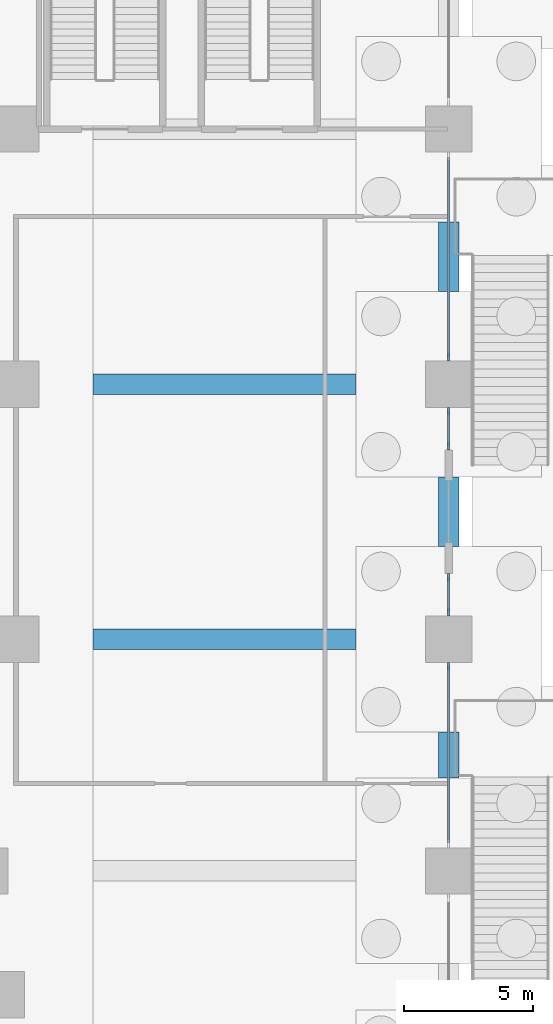
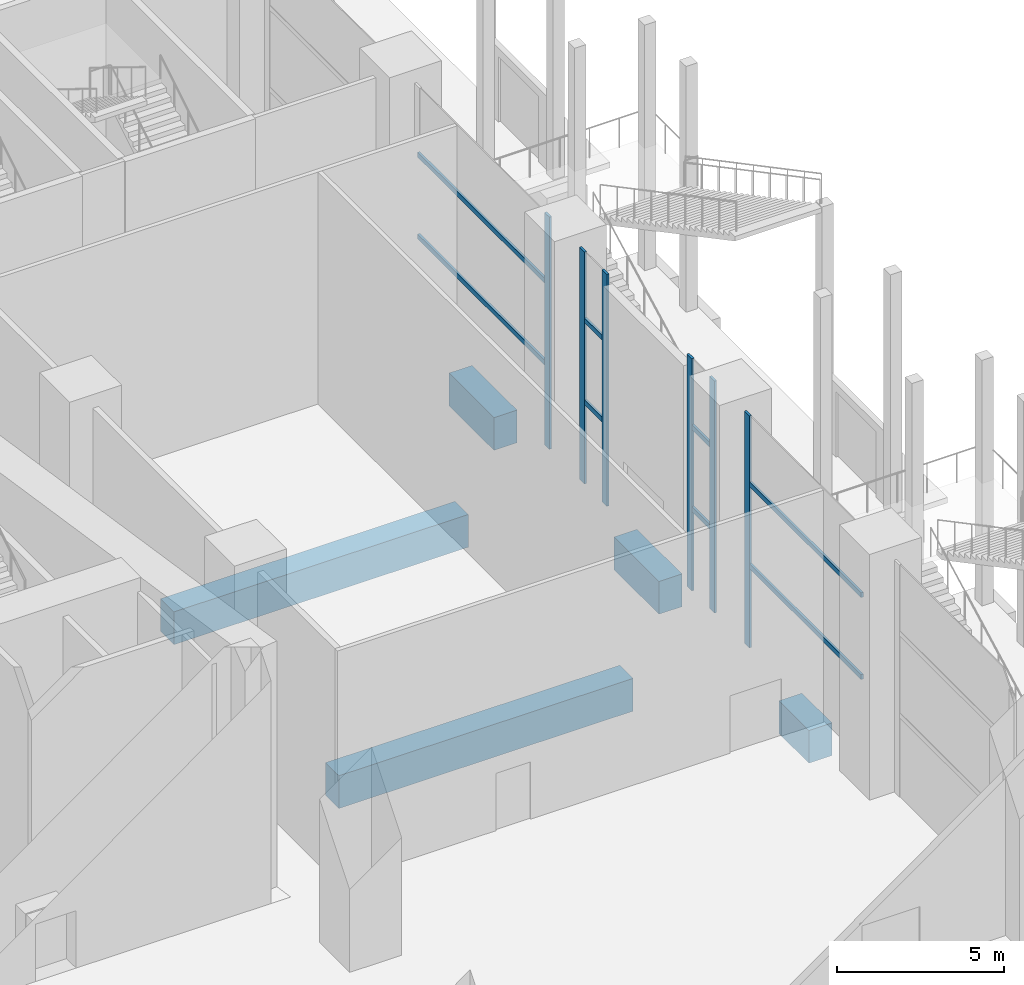
# One storey, part 24 of 72: 14 members, 5 beams, 4 elements without a shape of their own.
"""IFC4 building model written with IfcOpenShell, lengths in metres."""

import ifcopenshell
import ifcopenshell.guid

model = None  # the IFC model being written
_history = None  # IfcOwnerHistory: only IFC2X3 demands one
_inside = {}  # id of a spatial element -> (the spatial element, [elements in it])
_under = {}  # id of a project, library or spatial element -> (it, [spatial elements below it])
_declared = {}  # id of a project -> (the project, [libraries it declares])
_typed = {}  # id of a type object -> (the type object, [elements of that type])
_made_of = {}  # id of a material, layer set ... -> (it, [elements and type objects made of it])


def new_model(schema):
    """Start an empty IFC model of exactly this schema.

    Asked for "IFC4X3", IfcOpenShell would pick the latest addendum, in which some entities
    have other attributes; the version numbers below select the first issue.
    IFC2X3 requires an IfcOwnerHistory on every rooted entity: one is made here for all.
    """
    global model, _history
    if schema == "IFC4X3":
        model = ifcopenshell.file(schema_version=(4, 3, 0, 0))
    else:
        model = ifcopenshell.file(schema=schema)
    _inside.clear()
    _under.clear()
    _declared.clear()
    _typed.clear()
    _made_of.clear()
    _history = None
    if model.schema == "IFC2X3":
        org = make("IfcOrganization", Name="unknown")
        user = make(
            "IfcPersonAndOrganization",
            ThePerson=make("IfcPerson", FamilyName="unknown"),
            TheOrganization=org,
        )
        app = make(
            "IfcApplication",
            ApplicationDeveloper=org,
            Version="unknown",
            ApplicationFullName="unknown",
            ApplicationIdentifier="unknown",
        )
        _history = make(
            "IfcOwnerHistory",
            OwningUser=user,
            OwningApplication=app,
            ChangeAction="ADDED",
            CreationDate=0,
        )
    return model


def make(cls, **values):
    """One entity of the class cls with the attributes given. An attribute that is None is left unset."""
    return model.create_entity(
        cls, **{name: value for name, value in values.items() if value is not None}
    )


def rooted(cls, **values):
    """An entity with a GlobalId (a new one), such as an element, a storey or a relation."""
    return make(cls, GlobalId=ifcopenshell.guid.new(), OwnerHistory=_history, **values)


def si_unit(unit_type, name, prefix=None):
    """IfcSIUnit, for example si_unit("LENGTHUNIT", "METRE", prefix="MILLI")."""
    return make("IfcSIUnit", UnitType=unit_type, Prefix=prefix, Name=name)


def assignment(units):
    """IfcUnitAssignment: the units of a project."""
    return None if units is None else make("IfcUnitAssignment", Units=units)


def point(xyz):
    """IfcCartesianPoint."""
    return None if xyz is None else make("IfcCartesianPoint", Coordinates=xyz)


def direction(xyz):
    """IfcDirection."""
    return None if xyz is None else make("IfcDirection", DirectionRatios=xyz)


def frame(location, z_axis=None, x_axis=None):
    """IfcAxis2Placement3D, a coordinate frame: its origin and axes. An axis left out is left unset."""
    return make(
        "IfcAxis2Placement3D",
        Location=point(location),
        Axis=direction(z_axis),
        RefDirection=direction(x_axis),
    )


def frame_2d(location, x_axis=None):
    """IfcAxis2Placement2D, a coordinate frame in the plane: its origin and x axis."""
    return make(
        "IfcAxis2Placement2D", Location=point(location), RefDirection=direction(x_axis)
    )


def origin():
    """The frame at (0, 0, 0) with its axes left unset."""
    return frame((0.0, 0.0, 0.0))


def origin_2d():
    """The frame at (0, 0) in the plane with its x axis left unset."""
    return frame_2d((0.0, 0.0))


def place(relative_to, where):
    """IfcLocalPlacement: puts the frame where relative to a parent placement (None: the world)."""
    return make(
        "IfcLocalPlacement", PlacementRelTo=relative_to, RelativePlacement=where
    )


def context(
    kind, dimensions, precision=None, world=None, true_north=None, identifier=None
):
    """IfcGeometricRepresentationContext, for example the 3D "Model" context."""
    return make(
        "IfcGeometricRepresentationContext",
        ContextIdentifier=identifier,
        ContextType=kind,
        CoordinateSpaceDimension=dimensions,
        Precision=precision,
        WorldCoordinateSystem=world,
        TrueNorth=true_north,
    )


def subcontext(parent, identifier, kind, view, scale=None):
    """IfcGeometricRepresentationSubContext, for example "Body" below "Model"."""
    return make(
        "IfcGeometricRepresentationSubContext",
        ContextIdentifier=identifier,
        ContextType=kind,
        ParentContext=parent,
        TargetScale=scale,
        TargetView=view,
    )


def project(units=None, contexts=None):
    """IfcProject with its units and contexts."""
    return rooted(
        "IfcProject",
        Name="project",
        RepresentationContexts=contexts,
        UnitsInContext=assignment(units),
    )


def spatial(cls, under=None, at=None, **own):
    """A site, building, storey or space (cls), placed at a placement, below another one or the project."""
    s = rooted(cls, ObjectPlacement=at, **own)
    if under is not None:
        _under.setdefault(under.id(), (under, []))[1].append(s)
    return s


def profile(cls, at=None, kind="AREA", **sizes):
    """A parametric profile (cls). Its sizes go by their IFC names, for example OverallWidth=200.0."""
    return make(cls, ProfileType=kind, Position=at, **sizes)


def rectangle(**sizes):
    """IfcRectangleProfileDef."""
    return profile("IfcRectangleProfileDef", **sizes)


def extrude(swept, where, along, depth):
    """IfcExtrudedAreaSolid: the profile swept, set in the frame where, extruded along a direction by depth."""
    return make(
        "IfcExtrudedAreaSolid",
        SweptArea=swept,
        Position=where,
        ExtrudedDirection=direction(along),
        Depth=depth,
    )


def shape(context_of_items, identifier, shape_type, items):
    """IfcShapeRepresentation: the items that make up one representation, for example the "Body"."""
    return make(
        "IfcShapeRepresentation",
        ContextOfItems=context_of_items,
        RepresentationIdentifier=identifier,
        RepresentationType=shape_type,
        Items=items,
    )


def material(Name=None, Category=None):
    """IfcMaterial."""
    return make("IfcMaterial", Name=Name, Category=Category)


def material_profile(
    of_material, cross_section, Name=None, Category=None, Priority=None
):
    """IfcMaterialProfile: a cross section and its material."""
    return make(
        "IfcMaterialProfile",
        Name=Name,
        Material=of_material,
        Profile=cross_section,
        Priority=Priority,
        Category=Category,
    )


def profile_set(profiles, Name=None, composite=None):
    """IfcMaterialProfileSet."""
    return make(
        "IfcMaterialProfileSet",
        Name=Name,
        MaterialProfiles=profiles,
        CompositeProfile=composite,
    )


def made_of(thing, what):
    """Note that an element or type object is made of a material, layer set ...; save() writes the relation."""
    if what is not None:
        _made_of.setdefault(what.id(), (what, []))[1].append(thing)
    return thing


def type_object(cls, material=None, **own):
    """A type object (cls), such as IfcWallType, which elements share."""
    return made_of(rooted(cls, **own), material)


def element(
    cls,
    number,
    at=None,
    inside=None,
    cuts=None,
    type_object=None,
    material=None,
    context=None,
    identifier="Body",
    shape_type=None,
    held_by="IfcProductDefinitionShape",
    body=None,
    shapes=None,
    **own,
):
    """One element of the class cls, such as IfcWall. Its Tag is "e" and its number.

    at: its placement. inside: the storey or other place that contains it. cuts: it is an
    opening in that element (IfcRelVoidsElement). A single representation is given by context,
    identifier, shape_type and body (its items); several are given by shapes. held_by: the class
    of the entity that holds the representations. save() writes the other relations.
    """
    e = rooted(cls, Tag="e%d" % number, ObjectPlacement=at, **own)
    if body is not None:
        shapes = [shape(context, identifier, shape_type, body)]
    if shapes is not None:
        e.Representation = make(held_by, Representations=shapes)
    if inside is not None:
        _inside.setdefault(inside.id(), (inside, []))[1].append(e)
    if cuts is not None:
        rooted(
            "IfcRelVoidsElement", RelatingBuildingElement=cuts, RelatedOpeningElement=e
        )
    if type_object is not None:
        _typed.setdefault(type_object.id(), (type_object, []))[1].append(e)
    return made_of(e, material)


def aggregate(whole, parts):
    """IfcRelAggregates: a whole, such as a stair, and the parts it consists of."""
    return rooted("IfcRelAggregates", RelatingObject=whole, RelatedObjects=parts)


def save(model, path):
    """Write the relations noted so far, then the file.

    IfcRelAggregates (storeys below a building ...), IfcRelContainedInSpatialStructure (elements
    in a storey), IfcRelDefinesByType, IfcRelAssociatesMaterial and IfcRelDeclares: one each for
    every whole, place, type object, material and project.
    """
    for whole, parts in _under.values():
        aggregate(whole, parts)
    for where, things in _inside.values():
        rooted(
            "IfcRelContainedInSpatialStructure",
            RelatedElements=things,
            RelatingStructure=where,
        )
    for kind, things in _typed.values():
        rooted("IfcRelDefinesByType", RelatedObjects=things, RelatingType=kind)
    for what, things in _made_of.values():
        rooted("IfcRelAssociatesMaterial", RelatedObjects=things, RelatingMaterial=what)
    for by, libraries in _declared.values():
        rooted("IfcRelDeclares", RelatingContext=by, RelatedDefinitions=libraries)
    model.write(path)


model = new_model("IFC4")

# Units and contexts
model_context = context("Model", 3, precision=1e-05, world=origin(), true_north=direction((0.0, 1.0)))
body_context = subcontext(model_context, "Body", "Model", "MODEL_VIEW")
ifc_project = project(units=[si_unit("LENGTHUNIT", "METRE"), si_unit("AREAUNIT", "SQUARE_METRE"), si_unit("VOLUMEUNIT", "CUBIC_METRE"), si_unit("PLANEANGLEUNIT", "RADIAN"), si_unit("MASSUNIT", "GRAM", prefix="KILO")], contexts=[model_context])

# Site, building, storey
site_placement = place(None, origin())
site = spatial("IfcSite", under=ifc_project, at=site_placement, CompositionType="ELEMENT")
building_placement = place(site_placement, origin())
building = spatial("IfcBuilding", under=site, at=building_placement, Name="Candeia Pilgrim Tower and Theatre", CompositionType="ELEMENT")
storey_placement = place(building_placement, origin())
storey = spatial("IfcBuildingStorey", under=building, at=storey_placement, Name="L00", CompositionType="ELEMENT", Elevation=0.0)

# Curtain wall, member
ifc_material_1 = material(Name="Aluminium framed podium glazing", Category="aluminium")
curtain_wall_type = type_object("IfcCurtainWallType", Name="CW-P curtain wall", PredefinedType="NOTDEFINED", material=ifc_material_1)
curtain_wall_1_placement = place(storey_placement, origin())
curtain_wall_1 = element("IfcCurtainWall", 1, at=curtain_wall_1_placement, inside=storey, type_object=curtain_wall_type, Name="Curtain wall CW-P L00.210", PredefinedType="NOTDEFINED")
ifc_material_2 = material(Name="Anodised aluminium", Category="aluminium")
ifc_material_profile_1 = material_profile(ifc_material_2, rectangle(XDim=0.080078125, YDim=0.300048828125, at=origin_2d()))
ifc_profile_set_1 = profile_set([ifc_material_profile_1], Name="Anodised aluminium")
member_type_1 = type_object("IfcMemberType", Name="CW-P mullion 80x300", PredefinedType="MULLION", material=ifc_profile_set_1)
member_1_placement = place(storey_placement, frame((159.60009765625, 126.949951171875, 0.0), z_axis=(0.0, 0.0, 1.0), x_axis=(1.0, 0.0, 0.0)))
member_1 = element("IfcMember", 2, at=member_1_placement, type_object=member_type_1, Name="CW-P mullion 2", PredefinedType="MULLION", context=body_context, shape_type="SweptSolid", body=[
    extrude(rectangle(XDim=0.080078125, YDim=0.300048828125, at=origin_2d()), origin(), (0.0, 0.0, 1.0), 8.5),
])

# Curtain wall, members
curtain_wall_2_placement = place(storey_placement, origin())
curtain_wall_2 = element("IfcCurtainWall", 3, at=curtain_wall_2_placement, inside=storey, type_object=curtain_wall_type, Name="Curtain wall CW-P L00.220", PredefinedType="NOTDEFINED")
member_2_placement = place(storey_placement, frame((159.60009765625, 124.85009765625, 0.0), z_axis=(0.0, 0.0, 1.0), x_axis=(1.0, 0.0, 0.0)))
member_2 = element("IfcMember", 4, at=member_2_placement, type_object=member_type_1, Name="CW-P mullion 1", PredefinedType="MULLION", context=body_context, shape_type="SweptSolid", body=[
    extrude(rectangle(XDim=0.080078125, YDim=0.300048828125, at=origin_2d()), origin(), (0.0, 0.0, 1.0), 8.5),
])
member_3_placement = place(storey_placement, frame((159.60009765625, 123.5, 0.0), z_axis=(0.0, 0.0, 1.0), x_axis=(1.0, 0.0, 0.0)))
member_3 = element("IfcMember", 5, at=member_3_placement, type_object=member_type_1, Name="CW-P mullion 2", PredefinedType="MULLION", context=body_context, shape_type="SweptSolid", body=[
    extrude(rectangle(XDim=0.080078125, YDim=0.300048828125, at=origin_2d()), origin(), (0.0, 0.0, 1.0), 8.5),
])

curtain_wall_3_placement = place(storey_placement, origin())
curtain_wall_3 = element("IfcCurtainWall", 6, at=curtain_wall_3_placement, inside=storey, type_object=curtain_wall_type, Name="Curtain wall CW-P L00.221", PredefinedType="NOTDEFINED")
member_4_placement = place(storey_placement, frame((159.60009765625, 118.39990234375, 0.0), z_axis=(0.0, 0.0, 1.0), x_axis=(1.0, 0.0, 0.0)))
member_4 = element("IfcMember", 7, at=member_4_placement, type_object=member_type_1, Name="CW-P mullion 1", PredefinedType="MULLION", context=body_context, shape_type="SweptSolid", body=[
    extrude(rectangle(XDim=0.080078125, YDim=0.300048828125, at=origin_2d()), origin(), (0.0, 0.0, 1.0), 8.5),
])
member_5_placement = place(storey_placement, frame((159.60009765625, 117.050048828125, 0.0), z_axis=(0.0, 0.0, 1.0), x_axis=(1.0, 0.0, 0.0)))
member_5 = element("IfcMember", 8, at=member_5_placement, type_object=member_type_1, Name="CW-P mullion 2", PredefinedType="MULLION", context=body_context, shape_type="SweptSolid", body=[
    extrude(rectangle(XDim=0.080078125, YDim=0.300048828125, at=origin_2d()), origin(), (0.0, 0.0, 1.0), 8.5),
])

# Curtain wall, member
curtain_wall_4_placement = place(storey_placement, origin())
curtain_wall_4 = element("IfcCurtainWall", 9, at=curtain_wall_4_placement, inside=storey, type_object=curtain_wall_type, Name="Curtain wall CW-P L00.230", PredefinedType="NOTDEFINED")
member_6_placement = place(storey_placement, frame((159.60009765625, 114.949951171875, 0.0), z_axis=(0.0, 0.0, 1.0), x_axis=(1.0, 0.0, 0.0)))
member_6 = element("IfcMember", 10, at=member_6_placement, type_object=member_type_1, Name="CW-P mullion 1", PredefinedType="MULLION", context=body_context, shape_type="SweptSolid", body=[
    extrude(rectangle(XDim=0.080078125, YDim=0.300048828125, at=origin_2d()), origin(), (0.0, 0.0, 1.0), 8.5),
])

# Member
ifc_material_profile_2 = material_profile(ifc_material_2, rectangle(XDim=0.080078125, YDim=0.179931640625, at=origin_2d()))
ifc_profile_set_2 = profile_set([ifc_material_profile_2], Name="Anodised aluminium")
member_type_2 = type_object("IfcMemberType", Name="CW-P transom 80x180", PredefinedType="USERDEFINED", material=ifc_profile_set_2)
member_7_placement = place(storey_placement, frame((159.60009765625, 134.7099609375, 3.0), z_axis=(0.0, -1.0, 0.0), x_axis=(1.0, 0.0, 0.0)))
member_7 = element("IfcMember", 11, at=member_7_placement, type_object=member_type_2, Name="CW-P transom 1.1", ObjectType="TRANSOM", PredefinedType="USERDEFINED", context=body_context, shape_type="SweptSolid", body=[
    extrude(rectangle(XDim=0.080078125, YDim=0.179931640625, at=origin_2d()), origin(), (0.0, 0.0, 1.0), 7.719970703125),
])

member_8_placement = place(storey_placement, frame((159.60009765625, 134.7099609375, 6.0), z_axis=(0.0, -1.0, 0.0), x_axis=(1.0, 0.0, 0.0)))
member_8 = element("IfcMember", 12, at=member_8_placement, type_object=member_type_2, Name="CW-P transom 1.2", ObjectType="TRANSOM", PredefinedType="USERDEFINED", context=body_context, shape_type="SweptSolid", body=[
    extrude(rectangle(XDim=0.080078125, YDim=0.179931640625, at=origin_2d()), origin(), (0.0, 0.0, 1.0), 7.719970703125),
])

aggregate(curtain_wall_1, [member_1, member_7, member_8])

member_9_placement = place(storey_placement, frame((159.60009765625, 124.81005859375, 3.0), z_axis=(0.0, -1.0, 0.0), x_axis=(1.0, 0.0, 0.0)))
member_9 = element("IfcMember", 13, at=member_9_placement, type_object=member_type_2, Name="CW-P transom 1.1", ObjectType="TRANSOM", PredefinedType="USERDEFINED", context=body_context, shape_type="SweptSolid", body=[
    extrude(rectangle(XDim=0.080078125, YDim=0.179931640625, at=origin_2d()), origin(), (0.0, 0.0, 1.0), 1.27001953125),
])

member_10_placement = place(storey_placement, frame((159.60009765625, 124.81005859375, 6.0), z_axis=(0.0, -1.0, 0.0), x_axis=(1.0, 0.0, 0.0)))
member_10 = element("IfcMember", 14, at=member_10_placement, type_object=member_type_2, Name="CW-P transom 1.2", ObjectType="TRANSOM", PredefinedType="USERDEFINED", context=body_context, shape_type="SweptSolid", body=[
    extrude(rectangle(XDim=0.080078125, YDim=0.179931640625, at=origin_2d()), origin(), (0.0, 0.0, 1.0), 1.27001953125),
])

aggregate(curtain_wall_2, [member_2, member_3, member_9, member_10])

member_11_placement = place(storey_placement, frame((159.60009765625, 118.360107421875, 3.0), z_axis=(0.0, -1.0, 0.0), x_axis=(1.0, 0.0, 0.0)))
member_11 = element("IfcMember", 15, at=member_11_placement, type_object=member_type_2, Name="CW-P transom 1.1", ObjectType="TRANSOM", PredefinedType="USERDEFINED", context=body_context, shape_type="SweptSolid", body=[
    extrude(rectangle(XDim=0.080078125, YDim=0.179931640625, at=origin_2d()), origin(), (0.0, 0.0, 1.0), 1.27001953125),
])

member_12_placement = place(storey_placement, frame((159.60009765625, 118.360107421875, 6.0), z_axis=(0.0, -1.0, 0.0), x_axis=(1.0, 0.0, 0.0)))
member_12 = element("IfcMember", 16, at=member_12_placement, type_object=member_type_2, Name="CW-P transom 1.2", ObjectType="TRANSOM", PredefinedType="USERDEFINED", context=body_context, shape_type="SweptSolid", body=[
    extrude(rectangle(XDim=0.080078125, YDim=0.179931640625, at=origin_2d()), origin(), (0.0, 0.0, 1.0), 1.27001953125),
])

aggregate(curtain_wall_3, [member_4, member_5, member_11, member_12])

member_13_placement = place(storey_placement, frame((159.60009765625, 114.909912109375, 3.0), z_axis=(0.0, -1.0, 0.0), x_axis=(1.0, 0.0, 0.0)))
member_13 = element("IfcMember", 17, at=member_13_placement, type_object=member_type_2, Name="CW-P transom 1.1", ObjectType="TRANSOM", PredefinedType="USERDEFINED", context=body_context, shape_type="SweptSolid", body=[
    extrude(rectangle(XDim=0.080078125, YDim=0.179931640625, at=origin_2d()), origin(), (0.0, 0.0, 1.0), 6.81982421875),
])

member_14_placement = place(storey_placement, frame((159.60009765625, 114.909912109375, 6.0), z_axis=(0.0, -1.0, 0.0), x_axis=(1.0, 0.0, 0.0)))
member_14 = element("IfcMember", 18, at=member_14_placement, type_object=member_type_2, Name="CW-P transom 1.2", ObjectType="TRANSOM", PredefinedType="USERDEFINED", context=body_context, shape_type="SweptSolid", body=[
    extrude(rectangle(XDim=0.080078125, YDim=0.179931640625, at=origin_2d()), origin(), (0.0, 0.0, 1.0), 6.81982421875),
])

aggregate(curtain_wall_4, [member_6, member_13, member_14])

# Beams
ifc_material_3 = material(Name="Concrete C40/50", Category="concrete")
ifc_material_profile_3 = material_profile(ifc_material_3, rectangle(XDim=0.800048828125, YDim=1.199951171875, at=origin_2d()))
ifc_profile_set_3 = profile_set([ifc_material_profile_3], Name="Concrete C40/50")
beam_type = type_object("IfcBeamType", Name="RC 800x1200 C40/50", PredefinedType="BEAM", material=ifc_profile_set_3)
beam_placement = place(storey_placement, frame((159.60009765625, 110.60009765625, -0.949951171875), z_axis=(0.0, 1.0, 0.0), x_axis=(-1.0, 0.0, 0.0)))
element("IfcBeam", 19, at=beam_placement, inside=storey, type_object=beam_type, Name="Ground beam 017", PredefinedType="BEAM", context=body_context, shape_type="SweptSolid", body=[
    extrude(rectangle(XDim=0.800048828125, YDim=1.199951171875, at=origin_2d()), origin(), (0.0, 0.0, 1.0), 1.7998046875),
])
for number, where, z_axis, x_axis, name in (
    (20, (159.60009765625, 119.60009765625, -0.949951171875), (0.0, 1.0, 0.0), (-1.0, 0.0, 0.0), "Ground beam 018"),
    (21, (159.60009765625, 129.5, -0.949951171875), (0.0, 1.0, 0.0), (-1.0, 0.0, 0.0), "Ground beam 019"),
):
    element("IfcBeam", number, at=place(storey_placement, frame(where, z_axis=z_axis, x_axis=x_axis)), inside=storey, type_object=beam_type, Name=name, PredefinedType="BEAM", context=body_context, shape_type="SweptSolid", body=[
        extrude(rectangle(XDim=0.800048828125, YDim=1.199951171875, at=origin_2d()), origin(), (0.0, 0.0, 1.0), 2.699951171875),
    ])
for number, where, z_axis, x_axis, name in (
    (22, (156.0, 116.0, -0.949951171875), (-1.0, 0.0, 0.0), (0.0, -1.0, 0.0), "Ground beam 050"),
    (23, (156.0, 125.89990234375, -0.949951171875), (-1.0, 0.0, 0.0), (0.0, -1.0, 0.0), "Ground beam 051"),
):
    element("IfcBeam", number, at=place(storey_placement, frame(where, z_axis=z_axis, x_axis=x_axis)), inside=storey, type_object=beam_type, Name=name, PredefinedType="BEAM", context=body_context, shape_type="SweptSolid", body=[
        extrude(rectangle(XDim=0.800048828125, YDim=1.199951171875, at=origin_2d()), origin(), (0.0, 0.0, 1.0), 10.199951171875),
    ])

save(model, "model.ifc")
